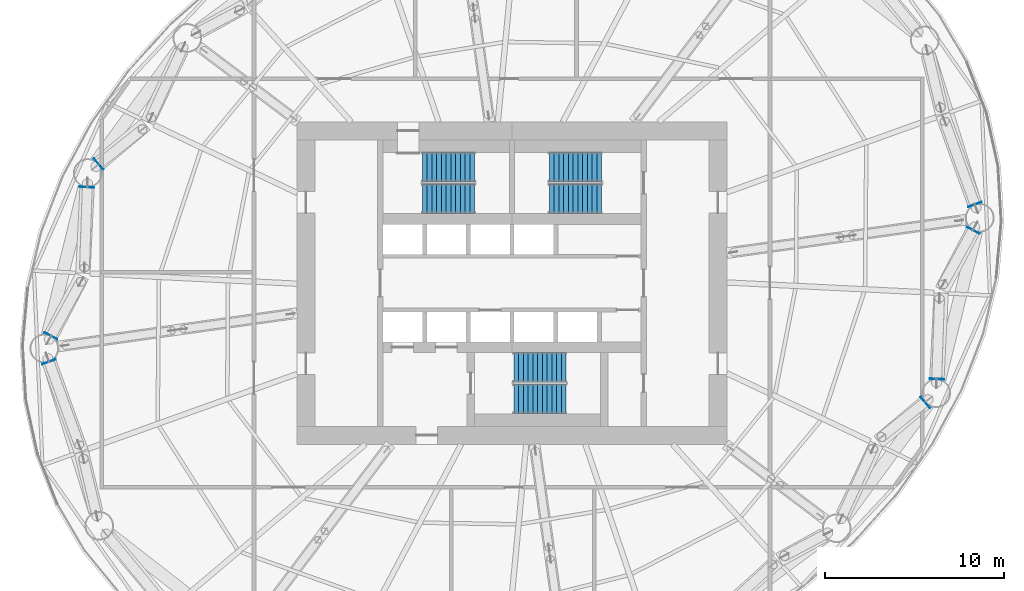
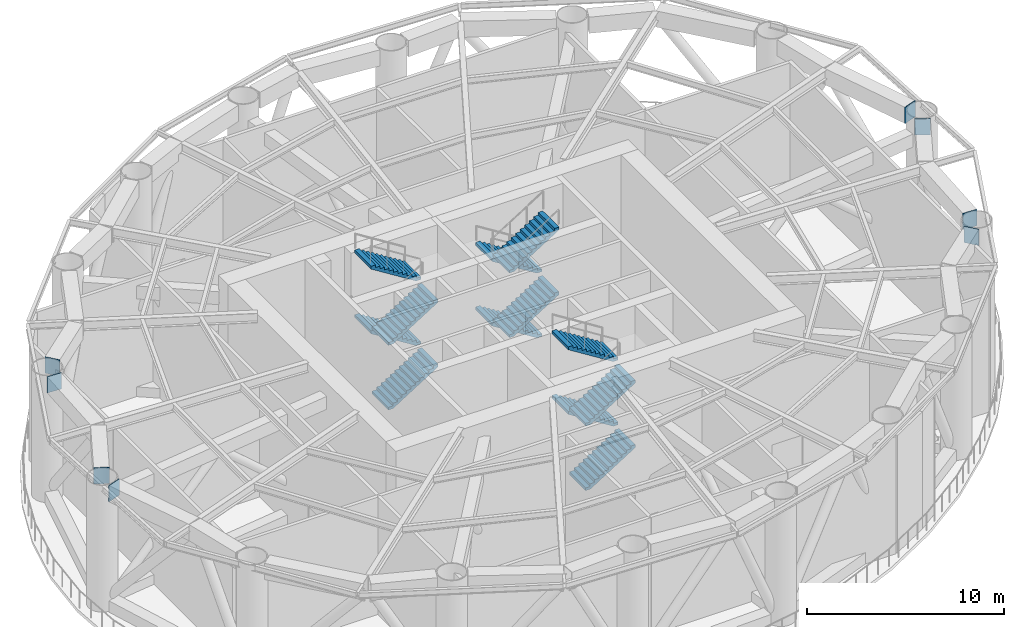
# One storey, part 7 of 15: 12 stair flights, 8 discrete accessories, 3 elements without a shape of their own.
"""IFC4 building model written with IfcOpenShell, lengths in metres."""

import ifcopenshell
import ifcopenshell.guid

model = None  # the IFC model being written
_history = None  # IfcOwnerHistory: only IFC2X3 demands one
_inside = {}  # id of a spatial element -> (the spatial element, [elements in it])
_under = {}  # id of a project, library or spatial element -> (it, [spatial elements below it])
_declared = {}  # id of a project -> (the project, [libraries it declares])
_typed = {}  # id of a type object -> (the type object, [elements of that type])
_made_of = {}  # id of a material, layer set ... -> (it, [elements and type objects made of it])


def new_model(schema):
    """Start an empty IFC model of exactly this schema.

    Asked for "IFC4X3", IfcOpenShell would pick the latest addendum, in which some entities
    have other attributes; the version numbers below select the first issue.
    IFC2X3 requires an IfcOwnerHistory on every rooted entity: one is made here for all.
    """
    global model, _history
    if schema == "IFC4X3":
        model = ifcopenshell.file(schema_version=(4, 3, 0, 0))
    else:
        model = ifcopenshell.file(schema=schema)
    _inside.clear()
    _under.clear()
    _declared.clear()
    _typed.clear()
    _made_of.clear()
    _history = None
    if model.schema == "IFC2X3":
        org = make("IfcOrganization", Name="unknown")
        user = make(
            "IfcPersonAndOrganization",
            ThePerson=make("IfcPerson", FamilyName="unknown"),
            TheOrganization=org,
        )
        app = make(
            "IfcApplication",
            ApplicationDeveloper=org,
            Version="unknown",
            ApplicationFullName="unknown",
            ApplicationIdentifier="unknown",
        )
        _history = make(
            "IfcOwnerHistory",
            OwningUser=user,
            OwningApplication=app,
            ChangeAction="ADDED",
            CreationDate=0,
        )
    return model


def make(cls, **values):
    """One entity of the class cls with the attributes given. An attribute that is None is left unset."""
    return model.create_entity(
        cls, **{name: value for name, value in values.items() if value is not None}
    )


def rooted(cls, **values):
    """An entity with a GlobalId (a new one), such as an element, a storey or a relation."""
    return make(cls, GlobalId=ifcopenshell.guid.new(), OwnerHistory=_history, **values)


def si_unit(unit_type, name, prefix=None):
    """IfcSIUnit, for example si_unit("LENGTHUNIT", "METRE", prefix="MILLI")."""
    return make("IfcSIUnit", UnitType=unit_type, Prefix=prefix, Name=name)


def assignment(units):
    """IfcUnitAssignment: the units of a project."""
    return None if units is None else make("IfcUnitAssignment", Units=units)


def point(xyz):
    """IfcCartesianPoint."""
    return None if xyz is None else make("IfcCartesianPoint", Coordinates=xyz)


def direction(xyz):
    """IfcDirection."""
    return None if xyz is None else make("IfcDirection", DirectionRatios=xyz)


def frame(location, z_axis=None, x_axis=None):
    """IfcAxis2Placement3D, a coordinate frame: its origin and axes. An axis left out is left unset."""
    return make(
        "IfcAxis2Placement3D",
        Location=point(location),
        Axis=direction(z_axis),
        RefDirection=direction(x_axis),
    )


def frame_2d(location, x_axis=None):
    """IfcAxis2Placement2D, a coordinate frame in the plane: its origin and x axis."""
    return make(
        "IfcAxis2Placement2D", Location=point(location), RefDirection=direction(x_axis)
    )


def origin():
    """The frame at (0, 0, 0) with its axes left unset."""
    return frame((0.0, 0.0, 0.0))


def origin_2d():
    """The frame at (0, 0) in the plane with its x axis left unset."""
    return frame_2d((0.0, 0.0))


def place(relative_to, where):
    """IfcLocalPlacement: puts the frame where relative to a parent placement (None: the world)."""
    return make(
        "IfcLocalPlacement", PlacementRelTo=relative_to, RelativePlacement=where
    )


def context(
    kind, dimensions, precision=None, world=None, true_north=None, identifier=None
):
    """IfcGeometricRepresentationContext, for example the 3D "Model" context."""
    return make(
        "IfcGeometricRepresentationContext",
        ContextIdentifier=identifier,
        ContextType=kind,
        CoordinateSpaceDimension=dimensions,
        Precision=precision,
        WorldCoordinateSystem=world,
        TrueNorth=true_north,
    )


def subcontext(parent, identifier, kind, view, scale=None):
    """IfcGeometricRepresentationSubContext, for example "Body" below "Model"."""
    return make(
        "IfcGeometricRepresentationSubContext",
        ContextIdentifier=identifier,
        ContextType=kind,
        ParentContext=parent,
        TargetScale=scale,
        TargetView=view,
    )


def project(units=None, contexts=None):
    """IfcProject with its units and contexts."""
    return rooted(
        "IfcProject",
        Name="project",
        RepresentationContexts=contexts,
        UnitsInContext=assignment(units),
    )


def spatial(cls, under=None, at=None, **own):
    """A site, building, storey or space (cls), placed at a placement, below another one or the project."""
    s = rooted(cls, ObjectPlacement=at, **own)
    if under is not None:
        _under.setdefault(under.id(), (under, []))[1].append(s)
    return s


def polyline(points):
    """IfcPolyline through the points."""
    return make("IfcPolyline", Points=[point(p) for p in points])


def profile(cls, at=None, kind="AREA", **sizes):
    """A parametric profile (cls). Its sizes go by their IFC names, for example OverallWidth=200.0."""
    return make(cls, ProfileType=kind, Position=at, **sizes)


def rectangle(**sizes):
    """IfcRectangleProfileDef."""
    return profile("IfcRectangleProfileDef", **sizes)


def outline(outer, holes=None, kind="AREA"):
    """IfcArbitraryClosedProfileDef: a profile drawn as a closed curve; with holes, ...WithVoids."""
    if holes is None:
        return make("IfcArbitraryClosedProfileDef", ProfileType=kind, OuterCurve=outer)
    return make(
        "IfcArbitraryProfileDefWithVoids",
        ProfileType=kind,
        OuterCurve=outer,
        InnerCurves=holes,
    )


def extrude(swept, where, along, depth):
    """IfcExtrudedAreaSolid: the profile swept, set in the frame where, extruded along a direction by depth."""
    return make(
        "IfcExtrudedAreaSolid",
        SweptArea=swept,
        Position=where,
        ExtrudedDirection=direction(along),
        Depth=depth,
    )


def shape(context_of_items, identifier, shape_type, items):
    """IfcShapeRepresentation: the items that make up one representation, for example the "Body"."""
    return make(
        "IfcShapeRepresentation",
        ContextOfItems=context_of_items,
        RepresentationIdentifier=identifier,
        RepresentationType=shape_type,
        Items=items,
    )


def material(Name=None, Category=None):
    """IfcMaterial."""
    return make("IfcMaterial", Name=Name, Category=Category)


def made_of(thing, what):
    """Note that an element or type object is made of a material, layer set ...; save() writes the relation."""
    if what is not None:
        _made_of.setdefault(what.id(), (what, []))[1].append(thing)
    return thing


def type_object(cls, material=None, **own):
    """A type object (cls), such as IfcWallType, which elements share."""
    return made_of(rooted(cls, **own), material)


def element(
    cls,
    number,
    at=None,
    inside=None,
    cuts=None,
    type_object=None,
    material=None,
    context=None,
    identifier="Body",
    shape_type=None,
    held_by="IfcProductDefinitionShape",
    body=None,
    shapes=None,
    **own,
):
    """One element of the class cls, such as IfcWall. Its Tag is "e" and its number.

    at: its placement. inside: the storey or other place that contains it. cuts: it is an
    opening in that element (IfcRelVoidsElement). A single representation is given by context,
    identifier, shape_type and body (its items); several are given by shapes. held_by: the class
    of the entity that holds the representations. save() writes the other relations.
    """
    e = rooted(cls, Tag="e%d" % number, ObjectPlacement=at, **own)
    if body is not None:
        shapes = [shape(context, identifier, shape_type, body)]
    if shapes is not None:
        e.Representation = make(held_by, Representations=shapes)
    if inside is not None:
        _inside.setdefault(inside.id(), (inside, []))[1].append(e)
    if cuts is not None:
        rooted(
            "IfcRelVoidsElement", RelatingBuildingElement=cuts, RelatedOpeningElement=e
        )
    if type_object is not None:
        _typed.setdefault(type_object.id(), (type_object, []))[1].append(e)
    return made_of(e, material)


def aggregate(whole, parts):
    """IfcRelAggregates: a whole, such as a stair, and the parts it consists of."""
    return rooted("IfcRelAggregates", RelatingObject=whole, RelatedObjects=parts)


def save(model, path):
    """Write the relations noted so far, then the file.

    IfcRelAggregates (storeys below a building ...), IfcRelContainedInSpatialStructure (elements
    in a storey), IfcRelDefinesByType, IfcRelAssociatesMaterial and IfcRelDeclares: one each for
    every whole, place, type object, material and project.
    """
    for whole, parts in _under.values():
        aggregate(whole, parts)
    for where, things in _inside.values():
        rooted(
            "IfcRelContainedInSpatialStructure",
            RelatedElements=things,
            RelatingStructure=where,
        )
    for kind, things in _typed.values():
        rooted("IfcRelDefinesByType", RelatedObjects=things, RelatingType=kind)
    for what, things in _made_of.values():
        rooted("IfcRelAssociatesMaterial", RelatedObjects=things, RelatingMaterial=what)
    for by, libraries in _declared.values():
        rooted("IfcRelDeclares", RelatingContext=by, RelatedDefinitions=libraries)
    model.write(path)


model = new_model("IFC4")

# Units and contexts
model_context = context("Model", 3, precision=1e-05, world=origin(), true_north=direction((0.0, 1.0)))
body_context = subcontext(model_context, "Body", "Model", "MODEL_VIEW")
ifc_project = project(units=[si_unit("LENGTHUNIT", "METRE"), si_unit("AREAUNIT", "SQUARE_METRE"), si_unit("VOLUMEUNIT", "CUBIC_METRE"), si_unit("PLANEANGLEUNIT", "RADIAN"), si_unit("MASSUNIT", "GRAM", prefix="KILO")], contexts=[model_context])

# Site, building, storey
site_placement = place(None, origin())
site = spatial("IfcSite", under=ifc_project, at=site_placement, CompositionType="ELEMENT")
building_placement = place(site_placement, origin())
building = spatial("IfcBuilding", under=site, at=building_placement, Name="Vermilion Reach Broadcast Tower", CompositionType="ELEMENT")
storey_placement = place(building_placement, frame((0.0, 0.0, 135.39990234375)))
storey = spatial("IfcBuildingStorey", under=building, at=storey_placement, Name="L32", CompositionType="ELEMENT", Elevation=135.39990234375)

# Stair, stair flights
ifc_material_1 = material(Name="Concrete C40", Category="concrete")
stair_type = type_object("IfcStairType", Name="Exit stair RC 48 risers 167 mm", PredefinedType="HALF_TURN_STAIR", material=ifc_material_1)
placement = place(storey_placement, origin())
stair_1 = element("IfcStair", 1, at=placement, inside=storey, type_object=stair_type, Name="L32 Exit stair ST1", PredefinedType="HALF_TURN_STAIR")
ifc_material_2 = material(Name="Concrete C40", Category="concrete")
stair_flight_type = type_object("IfcStairFlightType", Name="Exit stair flight RC 12 risers", PredefinedType="STRAIGHT", material=ifc_material_2)
stair_flight_1_placement = place(storey_placement, frame((-11.0, 4.7099609375, 0.0), z_axis=(0.0, 0.0, 1.0), x_axis=(1.0, 0.0, 0.0)))
stair_flight_1 = element("IfcStairFlight", 2, at=stair_flight_1_placement, type_object=stair_flight_type, Name="ST1 flight 1", NumberOfRisers=12, NumberOfTreads=11, PredefinedType="STRAIGHT", RiserHeight=0.166666667, TreadLength=0.265, context=body_context, shape_type="SweptSolid", body=[
    extrude(outline(polyline([(0.0, 0.0), (0.0, 0.166748046875), (0.264892578125, 0.166748046875), (0.264892578125, 0.333251953125), (0.530029296875, 0.333251953125), (0.530029296875, 0.5), (0.794921875, 0.5), (0.794921875, 0.666748046875), (1.06005859375, 0.666748046875), (1.06005859375, 0.833251953125), (1.324951171875, 0.833251953125), (1.324951171875, 1.0), (1.590087890625, 1.0), (1.590087890625, 1.166748046875), (1.85498046875, 1.166748046875), (1.85498046875, 1.333251953125), (2.1201171875, 1.333251953125), (2.1201171875, 1.5), (2.385009765625, 1.5), (2.385009765625, 1.666748046875), (2.64990234375, 1.666748046875), (2.64990234375, 1.833251953125), (2.9150390625, 1.833251953125), (2.9150390625, 2.0), (2.9150390625, 1.65625), (0.281494140625, 0.0), (0.0, 0.0)])), frame((0.0, 0.830078125, 0.0), z_axis=(0.0, -1.0, 0.0), x_axis=(1.0, 0.0, 0.0)), (0.0, 0.0, 1.0), 1.659912109375),
])
stair_flight_2_placement = place(storey_placement, frame((-8.0849609375, 6.469970703125, 2.0), z_axis=(0.0, 0.0, 1.0), x_axis=(-1.0, 0.0, 0.0)))
stair_flight_2 = element("IfcStairFlight", 3, at=stair_flight_2_placement, type_object=stair_flight_type, Name="ST1 flight 2", NumberOfRisers=12, NumberOfTreads=11, PredefinedType="STRAIGHT", RiserHeight=0.166666667, TreadLength=0.265, context=body_context, shape_type="SweptSolid", body=[
    extrude(outline(polyline([(0.0, 0.0), (0.0, 0.166748046875), (0.264892578125, 0.166748046875), (0.264892578125, 0.333251953125), (0.530029296875, 0.333251953125), (0.530029296875, 0.5), (0.794921875, 0.5), (0.794921875, 0.666748046875), (1.06005859375, 0.666748046875), (1.06005859375, 0.833251953125), (1.324951171875, 0.833251953125), (1.324951171875, 1.0), (1.590087890625, 1.0), (1.590087890625, 1.166748046875), (1.85498046875, 1.166748046875), (1.85498046875, 1.333251953125), (2.1201171875, 1.333251953125), (2.1201171875, 1.5), (2.385009765625, 1.5), (2.385009765625, 1.666748046875), (2.64990234375, 1.666748046875), (2.64990234375, 1.833251953125), (2.9150390625, 1.833251953125), (2.9150390625, 2.0), (2.9150390625, 1.65625), (0.281494140625, 0.0), (0.0, 0.0)])), frame((0.0, 0.830078125, 0.0), z_axis=(0.0, -1.0, 0.0), x_axis=(1.0, 0.0, 0.0)), (0.0, 0.0, 1.0), 1.659912109375),
])
stair_flight_3_placement = place(storey_placement, frame((-11.0, 4.7099609375, 4.0), z_axis=(0.0, 0.0, 1.0), x_axis=(1.0, 0.0, 0.0)))
stair_flight_3 = element("IfcStairFlight", 4, at=stair_flight_3_placement, type_object=stair_flight_type, Name="ST1 flight 3", NumberOfRisers=12, NumberOfTreads=11, PredefinedType="STRAIGHT", RiserHeight=0.166666667, TreadLength=0.265, context=body_context, shape_type="SweptSolid", body=[
    extrude(outline(polyline([(0.0, 0.0), (0.0, 0.166748046875), (0.264892578125, 0.166748046875), (0.264892578125, 0.333251953125), (0.530029296875, 0.333251953125), (0.530029296875, 0.5), (0.794921875, 0.5), (0.794921875, 0.666748046875), (1.06005859375, 0.666748046875), (1.06005859375, 0.833251953125), (1.324951171875, 0.833251953125), (1.324951171875, 1.0), (1.590087890625, 1.0), (1.590087890625, 1.166748046875), (1.85498046875, 1.166748046875), (1.85498046875, 1.333251953125), (2.1201171875, 1.333251953125), (2.1201171875, 1.5), (2.385009765625, 1.5), (2.385009765625, 1.666748046875), (2.64990234375, 1.666748046875), (2.64990234375, 1.833251953125), (2.9150390625, 1.833251953125), (2.9150390625, 2.0), (2.9150390625, 1.65625), (0.281494140625, 0.0), (0.0, 0.0)])), frame((0.0, 0.830078125, 0.0), z_axis=(0.0, -1.0, 0.0), x_axis=(1.0, 0.0, 0.0)), (0.0, 0.0, 1.0), 1.659912109375),
])
stair_flight_4_placement = place(storey_placement, frame((-8.0849609375, 6.469970703125, 6.0), z_axis=(0.0, 0.0, 1.0), x_axis=(-1.0, 0.0, 0.0)))
stair_flight_4 = element("IfcStairFlight", 5, at=stair_flight_4_placement, type_object=stair_flight_type, Name="ST1 flight 4", NumberOfRisers=12, NumberOfTreads=11, PredefinedType="STRAIGHT", RiserHeight=0.166666667, TreadLength=0.265, context=body_context, shape_type="SweptSolid", body=[
    extrude(outline(polyline([(0.0, 0.0), (0.0, 0.166748046875), (0.264892578125, 0.166748046875), (0.264892578125, 0.333251953125), (0.530029296875, 0.333251953125), (0.530029296875, 0.5), (0.794921875, 0.5), (0.794921875, 0.666748046875), (1.06005859375, 0.666748046875), (1.06005859375, 0.833251953125), (1.324951171875, 0.833251953125), (1.324951171875, 1.0), (1.590087890625, 1.0), (1.590087890625, 1.166748046875), (1.85498046875, 1.166748046875), (1.85498046875, 1.333251953125), (2.1201171875, 1.333251953125), (2.1201171875, 1.5), (2.385009765625, 1.5), (2.385009765625, 1.666748046875), (2.64990234375, 1.666748046875), (2.64990234375, 1.833251953125), (2.9150390625, 1.833251953125), (2.9150390625, 2.0), (2.9150390625, 1.65625), (0.281494140625, 0.0), (0.0, 0.0)])), frame((0.0, 0.830078125, 0.0), z_axis=(0.0, -1.0, 0.0), x_axis=(1.0, 0.0, 0.0)), (0.0, 0.0, 1.0), 1.659912109375),
])
aggregate(stair_1, [stair_flight_1, stair_flight_2, stair_flight_3, stair_flight_4])

stair_2 = element("IfcStair", 6, at=placement, inside=storey, type_object=stair_type, Name="L32 Exit stair ST2", PredefinedType="HALF_TURN_STAIR")
stair_flight_5_placement = place(storey_placement, frame((-1.0, 6.469970703125, 0.0), z_axis=(0.0, 0.0, 1.0), x_axis=(-1.0, 0.0, 0.0)))
stair_flight_5 = element("IfcStairFlight", 7, at=stair_flight_5_placement, type_object=stair_flight_type, Name="ST2 flight 1", NumberOfRisers=12, NumberOfTreads=11, PredefinedType="STRAIGHT", RiserHeight=0.166666667, TreadLength=0.265, context=body_context, shape_type="SweptSolid", body=[
    extrude(outline(polyline([(0.0, 0.0), (0.0, 0.166748046875), (0.264892578125, 0.166748046875), (0.264892578125, 0.333251953125), (0.530029296875, 0.333251953125), (0.530029296875, 0.5), (0.794921875, 0.5), (0.794921875, 0.666748046875), (1.06005859375, 0.666748046875), (1.06005859375, 0.833251953125), (1.324951171875, 0.833251953125), (1.324951171875, 1.0), (1.590087890625, 1.0), (1.590087890625, 1.166748046875), (1.85498046875, 1.166748046875), (1.85498046875, 1.333251953125), (2.1201171875, 1.333251953125), (2.1201171875, 1.5), (2.385009765625, 1.5), (2.385009765625, 1.666748046875), (2.64990234375, 1.666748046875), (2.64990234375, 1.833251953125), (2.9150390625, 1.833251953125), (2.9150390625, 2.0), (2.9150390625, 1.65625), (0.281494140625, 0.0), (0.0, 0.0)])), frame((0.0, 0.830078125, 0.0), z_axis=(0.0, -1.0, 0.0), x_axis=(1.0, 0.0, 0.0)), (0.0, 0.0, 1.0), 1.659912109375),
])
stair_flight_6_placement = place(storey_placement, frame((-3.9150390625, 4.7099609375, 2.0), z_axis=(0.0, 0.0, 1.0), x_axis=(1.0, 0.0, 0.0)))
stair_flight_6 = element("IfcStairFlight", 8, at=stair_flight_6_placement, type_object=stair_flight_type, Name="ST2 flight 2", NumberOfRisers=12, NumberOfTreads=11, PredefinedType="STRAIGHT", RiserHeight=0.166666667, TreadLength=0.265, context=body_context, shape_type="SweptSolid", body=[
    extrude(outline(polyline([(0.0, 0.0), (0.0, 0.166748046875), (0.264892578125, 0.166748046875), (0.264892578125, 0.333251953125), (0.530029296875, 0.333251953125), (0.530029296875, 0.5), (0.794921875, 0.5), (0.794921875, 0.666748046875), (1.06005859375, 0.666748046875), (1.06005859375, 0.833251953125), (1.324951171875, 0.833251953125), (1.324951171875, 1.0), (1.590087890625, 1.0), (1.590087890625, 1.166748046875), (1.85498046875, 1.166748046875), (1.85498046875, 1.333251953125), (2.1201171875, 1.333251953125), (2.1201171875, 1.5), (2.385009765625, 1.5), (2.385009765625, 1.666748046875), (2.64990234375, 1.666748046875), (2.64990234375, 1.833251953125), (2.9150390625, 1.833251953125), (2.9150390625, 2.0), (2.9150390625, 1.65625), (0.281494140625, 0.0), (0.0, 0.0)])), frame((0.0, 0.830078125, 0.0), z_axis=(0.0, -1.0, 0.0), x_axis=(1.0, 0.0, 0.0)), (0.0, 0.0, 1.0), 1.659912109375),
])
stair_flight_7_placement = place(storey_placement, frame((-1.0, 6.469970703125, 4.0), z_axis=(0.0, 0.0, 1.0), x_axis=(-1.0, 0.0, 0.0)))
stair_flight_7 = element("IfcStairFlight", 9, at=stair_flight_7_placement, type_object=stair_flight_type, Name="ST2 flight 3", NumberOfRisers=12, NumberOfTreads=11, PredefinedType="STRAIGHT", RiserHeight=0.166666667, TreadLength=0.265, context=body_context, shape_type="SweptSolid", body=[
    extrude(outline(polyline([(0.0, 0.0), (0.0, 0.166748046875), (0.264892578125, 0.166748046875), (0.264892578125, 0.333251953125), (0.530029296875, 0.333251953125), (0.530029296875, 0.5), (0.794921875, 0.5), (0.794921875, 0.666748046875), (1.06005859375, 0.666748046875), (1.06005859375, 0.833251953125), (1.324951171875, 0.833251953125), (1.324951171875, 1.0), (1.590087890625, 1.0), (1.590087890625, 1.166748046875), (1.85498046875, 1.166748046875), (1.85498046875, 1.333251953125), (2.1201171875, 1.333251953125), (2.1201171875, 1.5), (2.385009765625, 1.5), (2.385009765625, 1.666748046875), (2.64990234375, 1.666748046875), (2.64990234375, 1.833251953125), (2.9150390625, 1.833251953125), (2.9150390625, 2.0), (2.9150390625, 1.65625), (0.281494140625, 0.0), (0.0, 0.0)])), frame((0.0, 0.830078125, 0.0), z_axis=(0.0, -1.0, 0.0), x_axis=(1.0, 0.0, 0.0)), (0.0, 0.0, 1.0), 1.659912109375),
])
stair_flight_8_placement = place(storey_placement, frame((-3.9150390625, 4.7099609375, 6.0), z_axis=(0.0, 0.0, 1.0), x_axis=(1.0, 0.0, 0.0)))
stair_flight_8 = element("IfcStairFlight", 10, at=stair_flight_8_placement, type_object=stair_flight_type, Name="ST2 flight 4", NumberOfRisers=12, NumberOfTreads=11, PredefinedType="STRAIGHT", RiserHeight=0.166666667, TreadLength=0.265, context=body_context, shape_type="SweptSolid", body=[
    extrude(outline(polyline([(0.0, 0.0), (0.0, 0.166748046875), (0.264892578125, 0.166748046875), (0.264892578125, 0.333251953125), (0.530029296875, 0.333251953125), (0.530029296875, 0.5), (0.794921875, 0.5), (0.794921875, 0.666748046875), (1.06005859375, 0.666748046875), (1.06005859375, 0.833251953125), (1.324951171875, 0.833251953125), (1.324951171875, 1.0), (1.590087890625, 1.0), (1.590087890625, 1.166748046875), (1.85498046875, 1.166748046875), (1.85498046875, 1.333251953125), (2.1201171875, 1.333251953125), (2.1201171875, 1.5), (2.385009765625, 1.5), (2.385009765625, 1.666748046875), (2.64990234375, 1.666748046875), (2.64990234375, 1.833251953125), (2.9150390625, 1.833251953125), (2.9150390625, 2.0), (2.9150390625, 1.65625), (0.281494140625, 0.0), (0.0, 0.0)])), frame((0.0, 0.830078125, 0.0), z_axis=(0.0, -1.0, 0.0), x_axis=(1.0, 0.0, 0.0)), (0.0, 0.0, 1.0), 1.659912109375),
])
aggregate(stair_2, [stair_flight_5, stair_flight_6, stair_flight_7, stair_flight_8])

stair_3 = element("IfcStair", 11, at=placement, inside=storey, type_object=stair_type, Name="L32 Exit stair ST3", PredefinedType="HALF_TURN_STAIR")
stair_flight_9_placement = place(storey_placement, frame((-5.89990234375, -6.469970703125, 0.0), z_axis=(0.0, 0.0, 1.0), x_axis=(1.0, 0.0, 0.0)))
stair_flight_9 = element("IfcStairFlight", 12, at=stair_flight_9_placement, type_object=stair_flight_type, Name="ST3 flight 1", NumberOfRisers=12, NumberOfTreads=11, PredefinedType="STRAIGHT", RiserHeight=0.166666667, TreadLength=0.265, context=body_context, shape_type="SweptSolid", body=[
    extrude(outline(polyline([(0.0, 0.0), (0.0, 0.166748046875), (0.264892578125, 0.166748046875), (0.264892578125, 0.333251953125), (0.530029296875, 0.333251953125), (0.530029296875, 0.5), (0.794921875, 0.5), (0.794921875, 0.666748046875), (1.06005859375, 0.666748046875), (1.06005859375, 0.833251953125), (1.324951171875, 0.833251953125), (1.324951171875, 1.0), (1.590087890625, 1.0), (1.590087890625, 1.166748046875), (1.85498046875, 1.166748046875), (1.85498046875, 1.333251953125), (2.1201171875, 1.333251953125), (2.1201171875, 1.5), (2.385009765625, 1.5), (2.385009765625, 1.666748046875), (2.64990234375, 1.666748046875), (2.64990234375, 1.833251953125), (2.9150390625, 1.833251953125), (2.9150390625, 2.0), (2.9150390625, 1.65625), (0.281494140625, 0.0), (0.0, 0.0)])), frame((0.0, 0.830078125, 0.0), z_axis=(0.0, -1.0, 0.0), x_axis=(1.0, 0.0, 0.0)), (0.0, 0.0, 1.0), 1.659912109375),
])
stair_flight_10_placement = place(storey_placement, frame((-2.985107421875, -4.7099609375, 2.0), z_axis=(0.0, 0.0, 1.0), x_axis=(-1.0, 0.0, 0.0)))
stair_flight_10 = element("IfcStairFlight", 13, at=stair_flight_10_placement, type_object=stair_flight_type, Name="ST3 flight 2", NumberOfRisers=12, NumberOfTreads=11, PredefinedType="STRAIGHT", RiserHeight=0.166666667, TreadLength=0.265, context=body_context, shape_type="SweptSolid", body=[
    extrude(outline(polyline([(0.0, 0.0), (0.0, 0.166748046875), (0.264892578125, 0.166748046875), (0.264892578125, 0.333251953125), (0.530029296875, 0.333251953125), (0.530029296875, 0.5), (0.794921875, 0.5), (0.794921875, 0.666748046875), (1.06005859375, 0.666748046875), (1.06005859375, 0.833251953125), (1.324951171875, 0.833251953125), (1.324951171875, 1.0), (1.590087890625, 1.0), (1.590087890625, 1.166748046875), (1.85498046875, 1.166748046875), (1.85498046875, 1.333251953125), (2.1201171875, 1.333251953125), (2.1201171875, 1.5), (2.385009765625, 1.5), (2.385009765625, 1.666748046875), (2.64990234375, 1.666748046875), (2.64990234375, 1.833251953125), (2.9150390625, 1.833251953125), (2.9150390625, 2.0), (2.9150390625, 1.65625), (0.281494140625, 0.0), (0.0, 0.0)])), frame((0.0, 0.830078125, 0.0), z_axis=(0.0, -1.0, 0.0), x_axis=(1.0, 0.0, 0.0)), (0.0, 0.0, 1.0), 1.659912109375),
])
stair_flight_11_placement = place(storey_placement, frame((-5.89990234375, -6.469970703125, 4.0), z_axis=(0.0, 0.0, 1.0), x_axis=(1.0, 0.0, 0.0)))
stair_flight_11 = element("IfcStairFlight", 14, at=stair_flight_11_placement, type_object=stair_flight_type, Name="ST3 flight 3", NumberOfRisers=12, NumberOfTreads=11, PredefinedType="STRAIGHT", RiserHeight=0.166666667, TreadLength=0.265, context=body_context, shape_type="SweptSolid", body=[
    extrude(outline(polyline([(0.0, 0.0), (0.0, 0.166748046875), (0.264892578125, 0.166748046875), (0.264892578125, 0.333251953125), (0.530029296875, 0.333251953125), (0.530029296875, 0.5), (0.794921875, 0.5), (0.794921875, 0.666748046875), (1.06005859375, 0.666748046875), (1.06005859375, 0.833251953125), (1.324951171875, 0.833251953125), (1.324951171875, 1.0), (1.590087890625, 1.0), (1.590087890625, 1.166748046875), (1.85498046875, 1.166748046875), (1.85498046875, 1.333251953125), (2.1201171875, 1.333251953125), (2.1201171875, 1.5), (2.385009765625, 1.5), (2.385009765625, 1.666748046875), (2.64990234375, 1.666748046875), (2.64990234375, 1.833251953125), (2.9150390625, 1.833251953125), (2.9150390625, 2.0), (2.9150390625, 1.65625), (0.281494140625, 0.0), (0.0, 0.0)])), frame((0.0, 0.830078125, 0.0), z_axis=(0.0, -1.0, 0.0), x_axis=(1.0, 0.0, 0.0)), (0.0, 0.0, 1.0), 1.659912109375),
])
stair_flight_12_placement = place(storey_placement, frame((-2.985107421875, -4.7099609375, 6.0), z_axis=(0.0, 0.0, 1.0), x_axis=(-1.0, 0.0, 0.0)))
stair_flight_12 = element("IfcStairFlight", 15, at=stair_flight_12_placement, type_object=stair_flight_type, Name="ST3 flight 4", NumberOfRisers=12, NumberOfTreads=11, PredefinedType="STRAIGHT", RiserHeight=0.166666667, TreadLength=0.265, context=body_context, shape_type="SweptSolid", body=[
    extrude(outline(polyline([(0.0, 0.0), (0.0, 0.166748046875), (0.264892578125, 0.166748046875), (0.264892578125, 0.333251953125), (0.530029296875, 0.333251953125), (0.530029296875, 0.5), (0.794921875, 0.5), (0.794921875, 0.666748046875), (1.06005859375, 0.666748046875), (1.06005859375, 0.833251953125), (1.324951171875, 0.833251953125), (1.324951171875, 1.0), (1.590087890625, 1.0), (1.590087890625, 1.166748046875), (1.85498046875, 1.166748046875), (1.85498046875, 1.333251953125), (2.1201171875, 1.333251953125), (2.1201171875, 1.5), (2.385009765625, 1.5), (2.385009765625, 1.666748046875), (2.64990234375, 1.666748046875), (2.64990234375, 1.833251953125), (2.9150390625, 1.833251953125), (2.9150390625, 2.0), (2.9150390625, 1.65625), (0.281494140625, 0.0), (0.0, 0.0)])), frame((0.0, 0.830078125, 0.0), z_axis=(0.0, -1.0, 0.0), x_axis=(1.0, 0.0, 0.0)), (0.0, 0.0, 1.0), 1.659912109375),
])
aggregate(stair_3, [stair_flight_9, stair_flight_10, stair_flight_11, stair_flight_12])

# Discrete accessories
for number, where, z_axis, x_axis, name in (
    (16, (-29.073974609375, 6.654052734375, 6.85009765625), (0.0, 0.0, 1.0), (-0.765473436647, -0.643467495517, 0.0), "Belt chord end plate BT2-TC12"),
    (17, (-29.717529296875, 5.356689453125, 6.85009765625), (0.0, 0.0, 1.0), (0.049370630262, 0.998780526876, 0.0), "Belt chord end plate BT2-TC13"),
    (18, (-31.74267578125, -2.946044921875, 6.85009765625), (0.0, 0.0, 1.0), (-0.463389212979, -0.886154860786, 0.0), "Belt chord end plate BT2-TC14"),
    (19, (-31.84228515625, -4.389892578125, 6.85009765625), (0.0, 0.0, 1.0), (-0.337422147812, 0.941353437433, 0.0), "Belt chord end plate BT2-TC15"),
    (20, (17.073974609375, -6.654052734375, 6.85009765625), (0.0, 0.0, 1.0), (0.765473436647, 0.643467495517, 0.0), "Belt chord end plate BT2-TC28"),
    (21, (17.717529296875, -5.356689453125, 6.85009765625), (0.0, 0.0, 1.0), (-0.049370630262, -0.998780526876, 0.0), "Belt chord end plate BT2-TC29"),
    (22, (19.74267578125, 2.946044921875, 6.85009765625), (0.0, 0.0, 1.0), (0.463389212979, 0.886154860786, 0.0), "Belt chord end plate BT2-TC30"),
    (23, (19.84228515625, 4.389892578125, 6.85009765625), (0.0, 0.0, 1.0), (0.337422147812, -0.941353437433, 0.0), "Belt chord end plate BT2-TC31"),
):
    element("IfcDiscreteAccessory", number, at=place(storey_placement, frame(where, z_axis=z_axis, x_axis=x_axis)), inside=storey, Name=name, PredefinedType="NOTDEFINED", context=body_context, shape_type="SweptSolid", body=[
        extrude(rectangle(XDim=0.0400390625, YDim=0.800048828125, at=origin_2d()), origin(), (0.0, 0.0, 1.0), 1.0),
    ])

save(model, "model.ifc")
